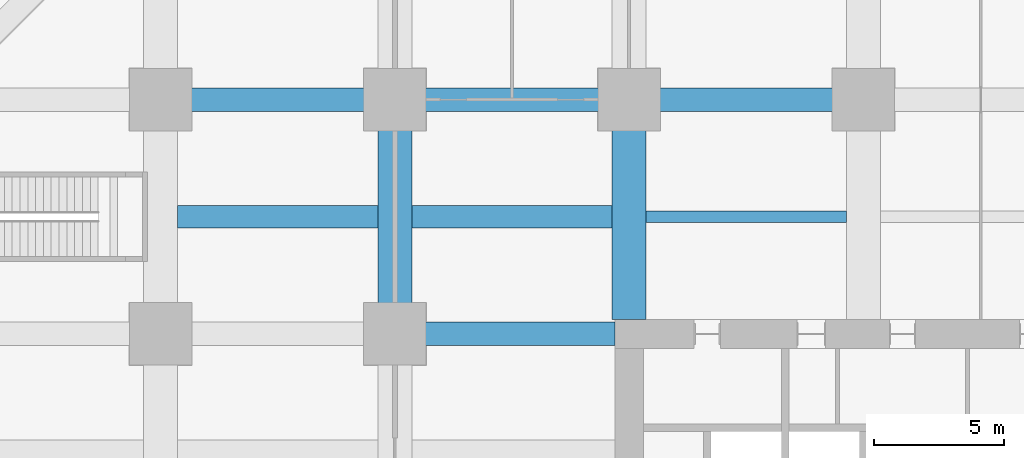
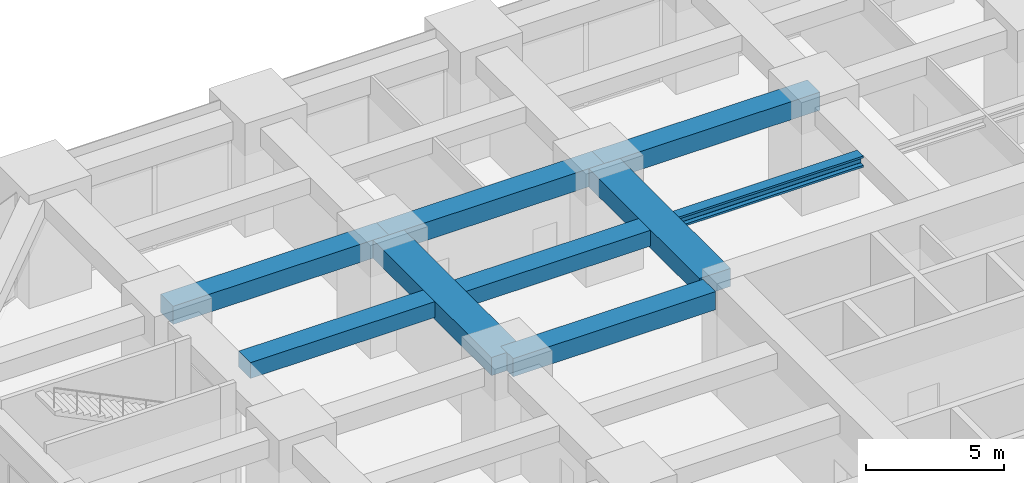
# One storey, part 21 of 46: 9 beams.
"""IFC4 building model written with IfcOpenShell, lengths in metres."""

from ifc_helpers import new_model, si_unit, direction, frame, origin, origin_2d, place, context, subcontext, project, spatial, rectangle, i_section, extrude, material, material_profile, profile_set, type_object, element, save


model = new_model("IFC4")

# Units and contexts
model_context = context("Model", 3, precision=1e-05, world=origin(), true_north=direction((0.0, 1.0)))
body_context = subcontext(model_context, "Body", "Model", "MODEL_VIEW")
ifc_project = project(units=[si_unit("LENGTHUNIT", "METRE"), si_unit("AREAUNIT", "SQUARE_METRE"), si_unit("VOLUMEUNIT", "CUBIC_METRE"), si_unit("PLANEANGLEUNIT", "RADIAN"), si_unit("MASSUNIT", "GRAM", prefix="KILO")], contexts=[model_context])

# Site, building, storey
site_placement = place(None, origin())
site = spatial("IfcSite", under=ifc_project, at=site_placement, CompositionType="ELEMENT")
building_placement = place(site_placement, origin())
building = spatial("IfcBuilding", under=site, at=building_placement, Name="Zorevar Civic Tower", CompositionType="ELEMENT")
storey_placement = place(building_placement, frame((0.0, 0.0, 10.800048828125)))
storey = spatial("IfcBuildingStorey", under=building, at=storey_placement, Name="L02", CompositionType="ELEMENT", Elevation=10.800048828125)

# Beams
ifc_material_1 = material(Name="Concrete C50/60", Category="concrete")
ifc_material_profile_1 = material_profile(ifc_material_1, rectangle(XDim=1.300048828125, YDim=0.800048828125, at=origin_2d()), Name="RC 1300x800")
ifc_profile_set_1 = profile_set([ifc_material_profile_1], Name="Concrete C50/60")
beam_type_1 = type_object("IfcBeamType", Name="Beam RC 1300x800", PredefinedType="BEAM", material=ifc_profile_set_1)
beam_1_placement = place(storey_placement, frame((9.0, 36.0, 4.199951171875), z_axis=(0.0, 1.0, 0.0), x_axis=(-1.0, 0.0, 0.0)))
element("IfcBeam", 1, at=beam_1_placement, inside=storey, type_object=beam_type_1, Name="Girder L03", PredefinedType="BEAM", context=body_context, shape_type="SweptSolid", body=[
    extrude(rectangle(XDim=1.300048828125, YDim=0.800048828125, at=origin_2d()), origin(), (0.0, 0.0, 1.0), 9.0),
])
beam_2_placement = place(storey_placement, frame((18.0, 36.550048828125, 4.199951171875), z_axis=(0.0, 1.0, 0.0), x_axis=(-1.0, 0.0, 0.0)))
element("IfcBeam", 2, at=beam_2_placement, inside=storey, type_object=beam_type_1, Name="Girder L03", PredefinedType="BEAM", context=body_context, shape_type="SweptSolid", body=[
    extrude(rectangle(XDim=1.300048828125, YDim=0.800048828125, at=origin_2d()), origin(), (0.0, 0.0, 1.0), 8.449951171875),
])
ifc_material_2 = material(Name="Concrete C50/60", Category="concrete")
ifc_material_profile_2 = material_profile(ifc_material_2, rectangle(XDim=0.85009765625, YDim=0.699951171875, at=origin_2d()), Name="RC 850x700")
ifc_profile_set_2 = profile_set([ifc_material_profile_2], Name="Concrete C50/60")
beam_type_2 = type_object("IfcBeamType", Name="Beam RC 850x700", PredefinedType="BEAM", material=ifc_profile_set_2)
for number, where, z_axis, x_axis, name in (
    (3, (0.64990234375, 40.5, 4.25), (1.0, 0.0, 0.0), (0.0, 1.0, 0.0), "Secondary beam L03"),
    (4, (9.64990234375, 40.5, 4.25), (1.0, 0.0, 0.0), (0.0, 1.0, 0.0), "Secondary beam L03"),
):
    element("IfcBeam", number, at=place(storey_placement, frame(where, z_axis=z_axis, x_axis=x_axis)), inside=storey, type_object=beam_type_2, Name=name, PredefinedType="BEAM", context=body_context, shape_type="SweptSolid", body=[
        extrude(rectangle(XDim=0.85009765625, YDim=0.699951171875, at=origin_2d()), origin(), (0.0, 0.0, 1.0), 7.7001953125),
    ])
ifc_material_3 = material(Name="Concrete C50/60", Category="concrete")
ifc_material_profile_3 = material_profile(ifc_material_3, rectangle(XDim=0.89990234375, YDim=0.800048828125, at=origin_2d()), Name="RC 900x800")
ifc_profile_set_3 = profile_set([ifc_material_profile_3], Name="Concrete C50/60")
beam_type_3 = type_object("IfcBeamType", Name="Beam RC 900x800", PredefinedType="BEAM", material=ifc_profile_set_3)
beam_3_placement = place(storey_placement, frame((9.0, 36.0, 4.199951171875), z_axis=(1.0, 0.0, 0.0), x_axis=(0.0, 1.0, 0.0)))
element("IfcBeam", 5, at=beam_3_placement, inside=storey, type_object=beam_type_3, Name="Girder L03", PredefinedType="BEAM", context=body_context, shape_type="SweptSolid", body=[
    extrude(rectangle(XDim=0.89990234375, YDim=0.800048828125, at=origin_2d()), origin(), (0.0, 0.0, 1.0), 8.449951171875),
])
for number, where, z_axis, x_axis, name in (
    (6, (0.0, 45.0, 4.199951171875), (1.0, 0.0, 0.0), (0.0, 1.0, 0.0), "Girder L03"),
    (7, (9.0, 45.0, 4.199951171875), (1.0, 0.0, 0.0), (0.0, 1.0, 0.0), "Girder L03"),
    (8, (18.0, 45.0, 4.199951171875), (1.0, 0.0, 0.0), (0.0, 1.0, 0.0), "Girder L03"),
):
    element("IfcBeam", number, at=place(storey_placement, frame(where, z_axis=z_axis, x_axis=x_axis)), inside=storey, type_object=beam_type_3, Name=name, PredefinedType="BEAM", context=body_context, shape_type="SweptSolid", body=[
        extrude(rectangle(XDim=0.89990234375, YDim=0.800048828125, at=origin_2d()), origin(), (0.0, 0.0, 1.0), 9.0),
    ])
ifc_material_4 = material(Name="Steel S460M (HISTAR 460)", Category="steel")
ifc_material_profile_4 = material_profile(ifc_material_4, i_section(OverallWidth=0.431884765625, OverallDepth=0.498046875, WebThickness=0.0556640625, FlangeThickness=0.0888671875, FilletRadius=0.014892578125, at=origin_2d()), Name="HD 400x744")
ifc_profile_set_4 = profile_set([ifc_material_profile_4], Name="Steel S460M (HISTAR 460)")
beam_type_4 = type_object("IfcBeamType", Name="Core bay beam HD 400x744", PredefinedType="BEAM", material=ifc_profile_set_4)
beam_4_placement = place(storey_placement, frame((18.64990234375, 40.5, 4.350830078125), z_axis=(1.0, 0.0, 0.0), x_axis=(0.0, 1.0, 0.0)))
element("IfcBeam", 9, at=beam_4_placement, inside=storey, type_object=beam_type_4, Name="Secondary beam L03", PredefinedType="BEAM", context=body_context, shape_type="SweptSolid", body=[
    extrude(i_section(OverallWidth=0.431884765625, OverallDepth=0.498046875, WebThickness=0.0556640625, FlangeThickness=0.0888671875, FilletRadius=0.014892578125, at=origin_2d()), origin(), (0.0, 0.0, 1.0), 7.7001953125),
])

save(model, "model.ifc")
